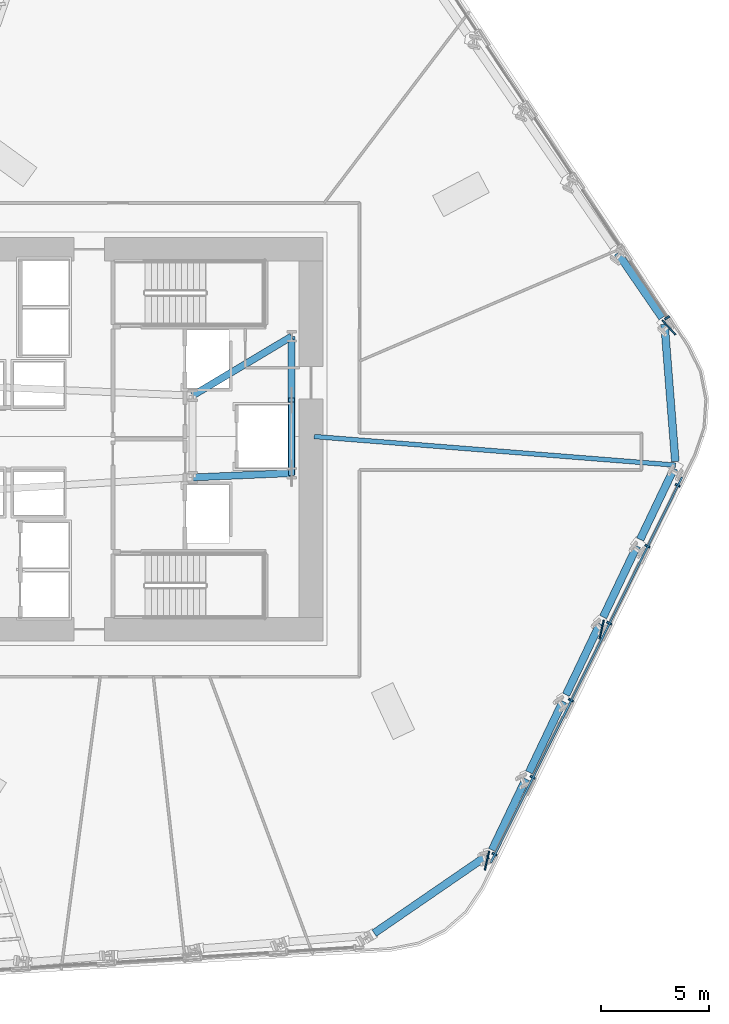
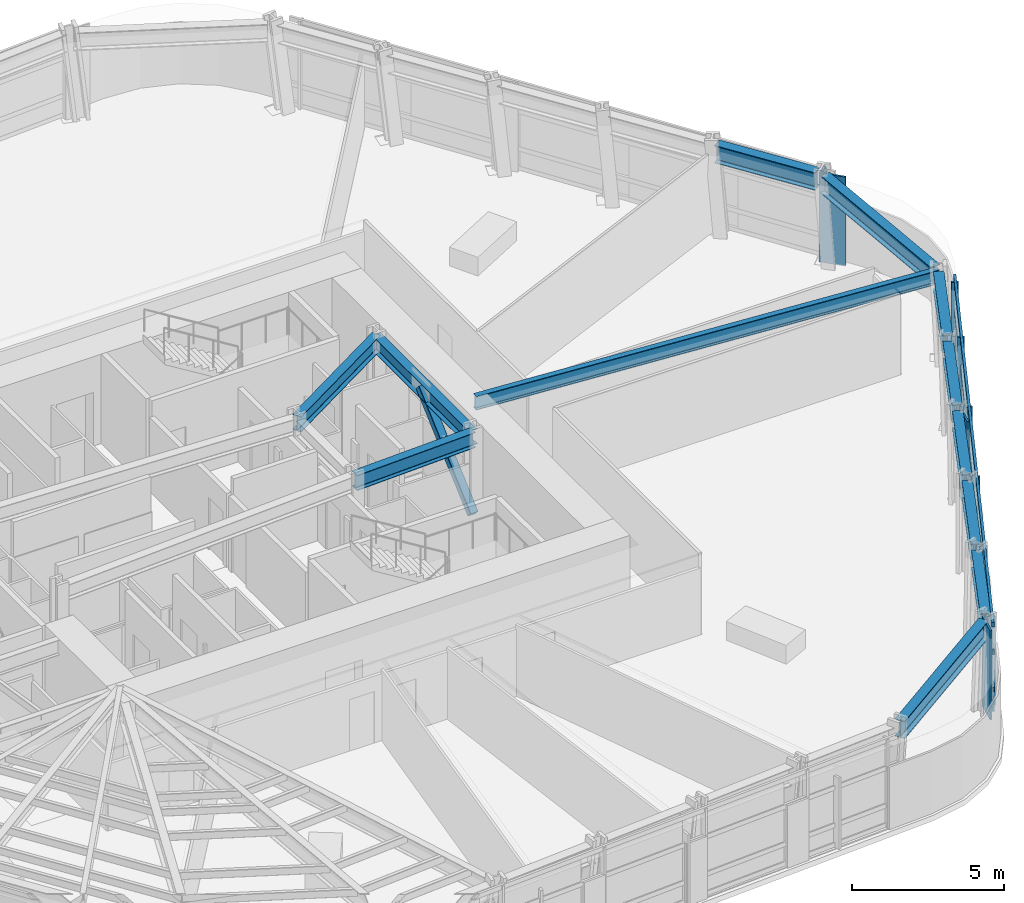
# One storey, part 4 of 15: 15 members, 12 beams, 2 elements without a shape of their own.
"""IFC4 building model written with IfcOpenShell, lengths in metres."""

from ifc_helpers import new_model, si_unit, direction, frame, origin, origin_2d, place, context, subcontext, project, spatial, rectangle, hollow_rectangle, i_section, extrude, material, layer, layer_set, material_profile, profile_set, type_object, element, aggregate, save


model = new_model("IFC4")

# Units and contexts
model_context = context("Model", 3, precision=1e-05, world=origin(), true_north=direction((0.0, 1.0)))
body_context = subcontext(model_context, "Body", "Model", "MODEL_VIEW")
ifc_project = project(units=[si_unit("LENGTHUNIT", "METRE"), si_unit("AREAUNIT", "SQUARE_METRE"), si_unit("VOLUMEUNIT", "CUBIC_METRE"), si_unit("PLANEANGLEUNIT", "RADIAN"), si_unit("MASSUNIT", "GRAM", prefix="KILO")], contexts=[model_context])

# Site, building, storey
site_placement = place(None, origin())
site = spatial("IfcSite", under=ifc_project, at=site_placement, CompositionType="ELEMENT")
building_placement = place(site_placement, origin())
building = spatial("IfcBuilding", under=site, at=building_placement, Name="Valkerne Bourse Tower", CompositionType="ELEMENT")
storey_placement = place(building_placement, frame((0.0, 0.0, 39.199951171875)))
storey = spatial("IfcBuildingStorey", under=building, at=storey_placement, Name="L09", CompositionType="ELEMENT", Elevation=39.199951171875)

# Beams
ifc_material_1 = material(Name="Steel ASTM A992", Category="steel")
ifc_material_profile_1 = material_profile(ifc_material_1, i_section(OverallWidth=0.2138671875, OverallDepth=0.548583984375, WebThickness=0.0146484375, FlangeThickness=0.023681640625, FilletRadius=0.017822265625, at=origin_2d()), Name="W21X93")
ifc_profile_set_1 = profile_set([ifc_material_profile_1], Name="Steel ASTM A992")
beam_type_1 = type_object("IfcBeamType", Name="BM-W21X93", PredefinedType="BEAM", material=ifc_profile_set_1)
beam_1_placement = place(storey_placement, frame((72.7919921875, 25.670654296875, 3.3056640625), z_axis=(-0.996881067886, 0.078918543394, 0.0), x_axis=(-0.078918543394, -0.996881067886, 0.0)))
element("IfcBeam", 1, at=beam_1_placement, inside=storey, type_object=beam_type_1, Name="L09 Radial Composite Floor Beam 35", PredefinedType="BEAM", context=body_context, shape_type="SweptSolid", body=[
    extrude(i_section(OverallWidth=0.2138671875, OverallDepth=0.548583984375, WebThickness=0.0146484375, FlangeThickness=0.023681640625, FilletRadius=0.017822265625, at=origin_2d()), origin(), (0.0, 0.0, 1.0), 16.844482421875),
])
ifc_material_profile_2 = material_profile(ifc_material_1, i_section(OverallWidth=0.3251953125, OverallDepth=0.612060546875, WebThickness=0.0126953125, FlangeThickness=0.01904296875, FilletRadius=0.020263671875, at=origin_2d()), Name="W24X104")
ifc_profile_set_2 = profile_set([ifc_material_profile_2], Name="Steel ASTM A992")
beam_type_2 = type_object("IfcBeamType", Name="BM-W24X104", PredefinedType="BEAM", material=ifc_profile_set_2)
beam_2_placement = place(storey_placement, frame((50.35009765625, 25.10009765625, 3.274169921875), z_axis=(0.999056558506, 0.043428019819, 0.0), x_axis=(-0.043428019819, 0.999056558506, 0.0)))
element("IfcBeam", 2, at=beam_2_placement, inside=storey, type_object=beam_type_2, Name="L09 Core Frame Girder CG-SE", PredefinedType="BEAM", context=body_context, shape_type="SweptSolid", body=[
    extrude(i_section(OverallWidth=0.3251953125, OverallDepth=0.612060546875, WebThickness=0.0126953125, FlangeThickness=0.01904296875, FilletRadius=0.020263671875, at=origin_2d()), origin(), (0.0, 0.0, 1.0), 4.604248046875),
])
beam_3_placement = place(storey_placement, frame((50.35009765625, 28.89990234375, 3.274169921875), z_axis=(0.858307823492, 0.513135148019, 0.0), x_axis=(-0.513135148019, 0.858307823492, 0.0)))
element("IfcBeam", 3, at=beam_3_placement, inside=storey, type_object=beam_type_2, Name="L09 Core Frame Girder CG-NE", PredefinedType="BEAM", context=body_context, shape_type="SweptSolid", body=[
    extrude(i_section(OverallWidth=0.3251953125, OverallDepth=0.612060546875, WebThickness=0.0126953125, FlangeThickness=0.01904296875, FilletRadius=0.020263671875, at=origin_2d()), origin(), (0.0, 0.0, 1.0), 5.359130859375),
])
beam_4_placement = place(storey_placement, frame((54.949951171875, 25.300048828125, 3.274169921875), z_axis=(0.0, 1.0, 0.0), x_axis=(-1.0, 0.0, 0.0)))
element("IfcBeam", 4, at=beam_4_placement, inside=storey, type_object=beam_type_2, Name="L09 Core Frame Girder CG-EE", PredefinedType="BEAM", context=body_context, shape_type="SweptSolid", body=[
    extrude(i_section(OverallWidth=0.3251953125, OverallDepth=0.612060546875, WebThickness=0.0126953125, FlangeThickness=0.01904296875, FilletRadius=0.020263671875, at=origin_2d()), origin(), (0.0, 0.0, 1.0), 6.349853515625),
])
ifc_material_profile_3 = material_profile(ifc_material_1, i_section(OverallWidth=0.358154296875, OverallDepth=0.7060546875, WebThickness=0.018310546875, FlangeThickness=0.0302734375, FilletRadius=0.02294921875, at=origin_2d()), Name="W27X178")
ifc_profile_set_3 = profile_set([ifc_material_profile_3], Name="Steel ASTM A992")
beam_type_3 = type_object("IfcBeamType", Name="BM-W27X178", PredefinedType="SPANDREL", material=ifc_profile_set_3)
beam_5_placement = place(storey_placement, frame((72.167724609375, 32.51904296875, 3.22705078125), z_axis=(-0.566418287264, 0.824117906523, 0.0), x_axis=(-0.824117906523, -0.566418287264, 0.0)))
element("IfcBeam", 5, at=beam_5_placement, inside=storey, type_object=beam_type_3, Name="L09 Hexagonal Spandrel Ring Beam 00", PredefinedType="SPANDREL", context=body_context, shape_type="SweptSolid", body=[
    extrude(i_section(OverallWidth=0.358154296875, OverallDepth=0.7060546875, WebThickness=0.018310546875, FlangeThickness=0.0302734375, FilletRadius=0.02294921875, at=origin_2d()), origin(), (0.0, 0.0, 1.0), 3.656005859375),
])
beam_6_placement = place(storey_placement, frame((58.784912109375, 3.922119140625, 3.22705078125), z_axis=(0.824136684609, 0.566390964866, 0.0), x_axis=(-0.566390964866, 0.824136684609, 0.0)))
element("IfcBeam", 6, at=beam_6_placement, inside=storey, type_object=beam_type_3, Name="L09 Hexagonal Spandrel Ring Beam 29", PredefinedType="SPANDREL", context=body_context, shape_type="SweptSolid", body=[
    extrude(i_section(OverallWidth=0.358154296875, OverallDepth=0.7060546875, WebThickness=0.018310546875, FlangeThickness=0.0302734375, FilletRadius=0.02294921875, at=origin_2d()), origin(), (0.0, 0.0, 1.0), 6.388916015625),
])
beam_7_placement = place(storey_placement, frame((64.263427734375, 7.790283203125, 3.22705078125), z_axis=(0.430495958945, 0.902592504585, 0.0), x_axis=(-0.902592504585, 0.430495958945, 0.0)))
element("IfcBeam", 7, at=beam_7_placement, inside=storey, type_object=beam_type_3, Name="L09 Hexagonal Spandrel Ring Beam 30", PredefinedType="SPANDREL", context=body_context, shape_type="SweptSolid", body=[
    extrude(i_section(OverallWidth=0.358154296875, OverallDepth=0.7060546875, WebThickness=0.018310546875, FlangeThickness=0.0302734375, FilletRadius=0.02294921875, at=origin_2d()), origin(), (0.0, 0.0, 1.0), 3.65625),
])
for number, where, z_axis, x_axis, name in (
    (8, (65.98388671875, 11.397216796875, 3.22705078125), (0.430521906438, 0.902580128341, 0.0), (-0.902580128341, 0.430521906438, 0.0), "L09 Hexagonal Spandrel Ring Beam 31"),
    (9, (67.7041015625, 15.00390625, 3.22705078125), (0.430521906438, 0.902580128341, 0.0), (-0.902580128341, 0.430521906438, 0.0), "L09 Hexagonal Spandrel Ring Beam 32"),
    (10, (69.424560546875, 18.610595703125, 3.22705078125), (0.430441557106, 0.902618449798, 0.0), (-0.902618449798, 0.430441557106, 0.0), "L09 Hexagonal Spandrel Ring Beam 33"),
):
    element("IfcBeam", number, at=place(storey_placement, frame(where, z_axis=z_axis, x_axis=x_axis)), inside=storey, type_object=beam_type_3, Name=name, PredefinedType="SPANDREL", context=body_context, shape_type="SweptSolid", body=[
        extrude(i_section(OverallWidth=0.358154296875, OverallDepth=0.7060546875, WebThickness=0.018310546875, FlangeThickness=0.0302734375, FilletRadius=0.02294921875, at=origin_2d()), origin(), (0.0, 0.0, 1.0), 3.656005859375),
    ])
beam_8_placement = place(storey_placement, frame((71.144775390625, 22.21728515625, 3.22705078125), z_axis=(0.430495958945, 0.902592504585, 0.0), x_axis=(-0.902592504585, 0.430495958945, 0.0)))
element("IfcBeam", 11, at=beam_8_placement, inside=storey, type_object=beam_type_3, Name="L09 Hexagonal Spandrel Ring Beam 34", PredefinedType="SPANDREL", context=body_context, shape_type="SweptSolid", body=[
    extrude(i_section(OverallWidth=0.358154296875, OverallDepth=0.7060546875, WebThickness=0.018310546875, FlangeThickness=0.0302734375, FilletRadius=0.02294921875, at=origin_2d()), origin(), (0.0, 0.0, 1.0), 3.65625),
])
beam_9_placement = place(storey_placement, frame((72.778564453125, 25.840087890625, 3.22705078125), z_axis=(-0.078449645939, 0.996918077403, 0.0), x_axis=(-0.996918077403, -0.078449645939, 0.0)))
element("IfcBeam", 12, at=beam_9_placement, inside=storey, type_object=beam_type_3, Name="L09 Hexagonal Spandrel Ring Beam 35", PredefinedType="SPANDREL", context=body_context, shape_type="SweptSolid", body=[
    extrude(i_section(OverallWidth=0.358154296875, OverallDepth=0.7060546875, WebThickness=0.018310546875, FlangeThickness=0.0302734375, FilletRadius=0.02294921875, at=origin_2d()), origin(), (0.0, 0.0, 1.0), 6.38916015625),
])

# Curtain wall, member
ifc_material_2 = material(Name="Aluminium AA 6063-T6", Category="aluminium")
ifc_layer = layer(ifc_material_2, 0.22509765625)
ifc_layer_set = layer_set([ifc_layer], Name="Aluminium AA 6063-T6")
curtain_wall_type = type_object("IfcCurtainWallType", Name="CW-01", PredefinedType="NOTDEFINED", material=ifc_layer_set)
curtain_wall_1_placement = place(storey_placement, origin())
curtain_wall_1 = element("IfcCurtainWall", 13, at=curtain_wall_1_placement, inside=storey, type_object=curtain_wall_type, Name="L09 Hexagonal Stick Curtain Wall Face 1", PredefinedType="NOTDEFINED")
ifc_material_profile_4 = material_profile(ifc_material_2, rectangle(XDim=0.090087890625, YDim=0.239990234375, at=origin_2d()), Name="CWM-90X240")
ifc_profile_set_4 = profile_set([ifc_material_profile_4], Name="Aluminium AA 6063-T6")
member_type_1 = type_object("IfcMemberType", Name="CW-MUL-240X90", PredefinedType="MULLION", material=ifc_profile_set_4)
member_1_placement = place(storey_placement, frame((72.39599609375, 32.516357421875, 0.0), z_axis=(0.0, 0.0, 1.0), x_axis=(-0.553377022495, 0.832930892076, 0.0)))
member_1 = element("IfcMember", 14, at=member_1_placement, type_object=member_type_1, Name="CW-L09-F1 Jamb Mullion 00A", PredefinedType="MULLION", context=body_context, shape_type="SweptSolid", body=[
    extrude(rectangle(XDim=0.090087890625, YDim=0.239990234375, at=origin_2d()), origin(), (0.0, 0.0, 1.0), 3.580078125),
])
aggregate(curtain_wall_1, [member_1])

# Curtain wall, members
curtain_wall_2_placement = place(storey_placement, origin())
curtain_wall_2 = element("IfcCurtainWall", 15, at=curtain_wall_2_placement, inside=storey, type_object=curtain_wall_type, Name="L09 Hexagonal Stick Curtain Wall Face 6", PredefinedType="NOTDEFINED")
member_2_placement = place(storey_placement, frame((64.375244140625, 7.59130859375, 0.0), z_axis=(0.0, 0.0, 1.0), x_axis=(0.444649171351, 0.895704814332, 0.0)))
member_2 = element("IfcMember", 16, at=member_2_placement, type_object=member_type_1, Name="CW-L09-F6 Jamb Mullion 00A", PredefinedType="MULLION", context=body_context, shape_type="SweptSolid", body=[
    extrude(rectangle(XDim=0.090087890625, YDim=0.239990234375, at=origin_2d()), origin(), (0.0, 0.0, 1.0), 3.580078125),
])
member_3_placement = place(storey_placement, frame((66.152099609375, 11.17041015625, 0.0), z_axis=(0.0, 0.0, 1.0), x_axis=(0.444619127058, 0.895719728405, 0.0)))
member_3 = element("IfcMember", 17, at=member_3_placement, type_object=member_type_1, Name="CW-L09-F6 Jamb Mullion 01A", PredefinedType="MULLION", context=body_context, shape_type="SweptSolid", body=[
    extrude(rectangle(XDim=0.090087890625, YDim=0.239990234375, at=origin_2d()), origin(), (0.0, 0.0, 1.0), 3.580078125),
])
member_4_placement = place(storey_placement, frame((67.9287109375, 14.749755859375, 0.0), z_axis=(0.0, 0.0, 1.0), x_axis=(0.444639204615, 0.895709761987, 0.0)))
member_4 = element("IfcMember", 18, at=member_4_placement, type_object=member_type_1, Name="CW-L09-F6 Jamb Mullion 02A", PredefinedType="MULLION", context=body_context, shape_type="SweptSolid", body=[
    extrude(rectangle(XDim=0.090087890625, YDim=0.239990234375, at=origin_2d()), origin(), (0.0, 0.0, 1.0), 3.580078125),
])
member_5_placement = place(storey_placement, frame((69.70556640625, 18.3291015625, 0.0), z_axis=(0.0, 0.0, 1.0), x_axis=(0.444649171351, 0.895704814332, 0.0)))
member_5 = element("IfcMember", 19, at=member_5_placement, type_object=member_type_1, Name="CW-L09-F6 Jamb Mullion 03A", PredefinedType="MULLION", context=body_context, shape_type="SweptSolid", body=[
    extrude(rectangle(XDim=0.090087890625, YDim=0.239990234375, at=origin_2d()), origin(), (0.0, 0.0, 1.0), 3.580078125),
])
member_6_placement = place(storey_placement, frame((71.482421875, 21.908203125, 0.0), z_axis=(0.0, 0.0, 1.0), x_axis=(0.444619127058, 0.895719728405, 0.0)))
member_6 = element("IfcMember", 20, at=member_6_placement, type_object=member_type_1, Name="CW-L09-F6 Jamb Mullion 04A", PredefinedType="MULLION", context=body_context, shape_type="SweptSolid", body=[
    extrude(rectangle(XDim=0.090087890625, YDim=0.239990234375, at=origin_2d()), origin(), (0.0, 0.0, 1.0), 3.580078125),
])
member_7_placement = place(storey_placement, frame((72.885498046875, 24.735107421875, 0.0), z_axis=(0.0, 0.0, 1.0), x_axis=(0.444619127058, 0.895719728405, 0.0)))
member_7 = element("IfcMember", 21, at=member_7_placement, type_object=member_type_1, Name="CW-L09-F6 Jamb Mullion 04B", PredefinedType="MULLION", context=body_context, shape_type="SweptSolid", body=[
    extrude(rectangle(XDim=0.090087890625, YDim=0.239990234375, at=origin_2d()), origin(), (0.0, 0.0, 1.0), 3.580078125),
])
ifc_material_profile_5 = material_profile(ifc_material_2, rectangle(XDim=0.090087890625, YDim=0.179931640625, at=origin_2d()), Name="CWT-90X180")
ifc_profile_set_5 = profile_set([ifc_material_profile_5], Name="Aluminium AA 6063-T6")
member_type_2 = type_object("IfcMemberType", Name="CW-TRN-180X90", PredefinedType="USERDEFINED", material=ifc_profile_set_5)
member_8_placement = place(storey_placement, frame((64.20654296875, 7.206298828125, 0.1201171875), z_axis=(0.444635912408, 0.895711396264, 0.0), x_axis=(-0.895711396264, 0.444635912408, 0.0)))
member_8 = element("IfcMember", 22, at=member_8_placement, type_object=member_type_2, Name="CW-L09-F6 Continuous Face Transom 1", ObjectType="TRANSOM", PredefinedType="USERDEFINED", context=body_context, shape_type="SweptSolid", body=[
    extrude(rectangle(XDim=0.090087890625, YDim=0.179931640625, at=origin_2d()), origin(), (0.0, 0.0, 1.0), 19.97998046875),
])
member_9_placement = place(storey_placement, frame((64.20654296875, 7.206298828125, 0.900146484375), z_axis=(0.444635912408, 0.895711396264, 0.0), x_axis=(-0.895711396264, 0.444635912408, 0.0)))
member_9 = element("IfcMember", 23, at=member_9_placement, type_object=member_type_2, Name="CW-L09-F6 Continuous Face Transom 2", ObjectType="TRANSOM", PredefinedType="USERDEFINED", context=body_context, shape_type="SweptSolid", body=[
    extrude(rectangle(XDim=0.090087890625, YDim=0.179931640625, at=origin_2d()), origin(), (0.0, 0.0, 1.0), 19.97998046875),
])
member_10_placement = place(storey_placement, frame((64.20654296875, 7.206298828125, 2.400146484375), z_axis=(0.444635912408, 0.895711396264, 0.0), x_axis=(-0.895711396264, 0.444635912408, 0.0)))
member_10 = element("IfcMember", 24, at=member_10_placement, type_object=member_type_2, Name="CW-L09-F6 Continuous Face Transom 3", ObjectType="TRANSOM", PredefinedType="USERDEFINED", context=body_context, shape_type="SweptSolid", body=[
    extrude(rectangle(XDim=0.090087890625, YDim=0.179931640625, at=origin_2d()), origin(), (0.0, 0.0, 1.0), 19.97998046875),
])
member_11_placement = place(storey_placement, frame((64.20654296875, 7.206298828125, 3.5), z_axis=(0.444635912408, 0.895711396264, 0.0), x_axis=(-0.895711396264, 0.444635912408, 0.0)))
member_11 = element("IfcMember", 25, at=member_11_placement, type_object=member_type_2, Name="CW-L09-F6 Continuous Face Transom 4", ObjectType="TRANSOM", PredefinedType="USERDEFINED", context=body_context, shape_type="SweptSolid", body=[
    extrude(rectangle(XDim=0.090087890625, YDim=0.179931640625, at=origin_2d()), origin(), (0.0, 0.0, 1.0), 19.97998046875),
])
aggregate(curtain_wall_2, [member_8, member_9, member_10, member_11, member_2, member_3, member_4, member_5, member_6, member_7])

# Members
ifc_material_3 = material(Name="Bronze Anodised Aluminium AA 6063-T6", Category="aluminium")
ifc_material_profile_6 = material_profile(ifc_material_3, rectangle(XDim=0.070068359375, YDim=0.89990234375, at=origin_2d()), Name="FIN-70X900")
ifc_profile_set_6 = profile_set([ifc_material_profile_6], Name="Bronze Anodised Aluminium AA 6063-T6")
member_type_3 = type_object("IfcMemberType", Name="FIN-SOLAR-900", PredefinedType="USERDEFINED", material=ifc_profile_set_6)
for number, where, z_axis, x_axis, name in (
    (26, (72.478515625, 32.06689453125, 0.004150390625), (0.0, 0.0, 1.0), (0.729813104644, 0.683646715994, 0.0), "L09 Bronze Anodised Solar Fin F1-00"),
    (27, (64.02734375, 7.295166015625, 0.004150390625), (0.0, 0.0, 1.0), (0.975325804138, -0.220770414194, 0.0), "L09 Bronze Anodised Solar Fin F6-00"),
    (28, (69.357666015625, 18.032958984375, 0.004150390625), (0.0, 0.0, 1.0), (0.975325804138, -0.220770414194, 0.0), "L09 Bronze Anodised Solar Fin F6-03"),
):
    element("IfcMember", number, at=place(storey_placement, frame(where, z_axis=z_axis, x_axis=x_axis)), inside=storey, type_object=member_type_3, Name=name, ObjectType="SOLAR_FIN", PredefinedType="USERDEFINED", context=body_context, shape_type="SweptSolid", body=[
        extrude(rectangle(XDim=0.070068359375, YDim=0.89990234375, at=origin_2d()), origin(), (0.0, 0.0, 1.0), 3.57177734375),
    ])
ifc_material_4 = material(Name="Steel ASTM A500 Grade C", Category="steel")
ifc_material_profile_7 = material_profile(ifc_material_4, hollow_rectangle(XDim=0.300048828125, YDim=0.300048828125, WallThickness=0.012451171875, OuterFilletRadius=0.02490234375, at=origin_2d()), Name="HSS300X300X12.5")
ifc_profile_set_7 = profile_set([ifc_material_profile_7], Name="Steel ASTM A500 Grade C")
member_type_4 = type_object("IfcMemberType", Name="MBR-HSS300X300X12.5", PredefinedType="STRUT", material=ifc_profile_set_7)
member_12_placement = place(storey_placement, frame((54.949951171875, 25.300048828125, 0.219970703125), z_axis=(0.0, 0.743915376654, 0.668273830385), x_axis=(-1.0, 0.0, 0.0)))
element("IfcMember", 29, at=member_12_placement, inside=storey, type_object=member_type_4, Name="L09 Core Service Pier Lateral Brace", PredefinedType="STRUT", context=body_context, shape_type="SweptSolid", body=[
    extrude(hollow_rectangle(XDim=0.300048828125, YDim=0.300048828125, WallThickness=0.012451171875, OuterFilletRadius=0.02490234375, at=origin_2d()), origin(), (0.0, 0.0, 1.0), 4.5703125),
])

save(model, "model.ifc")
